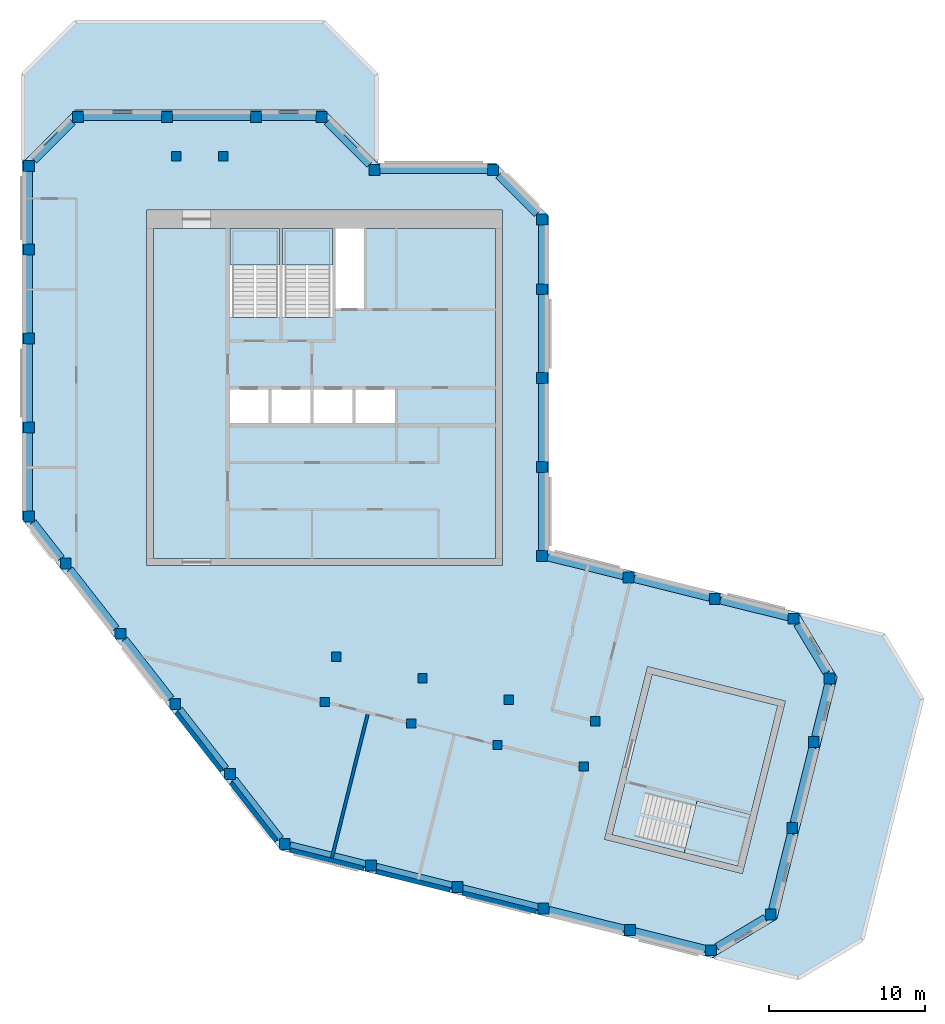
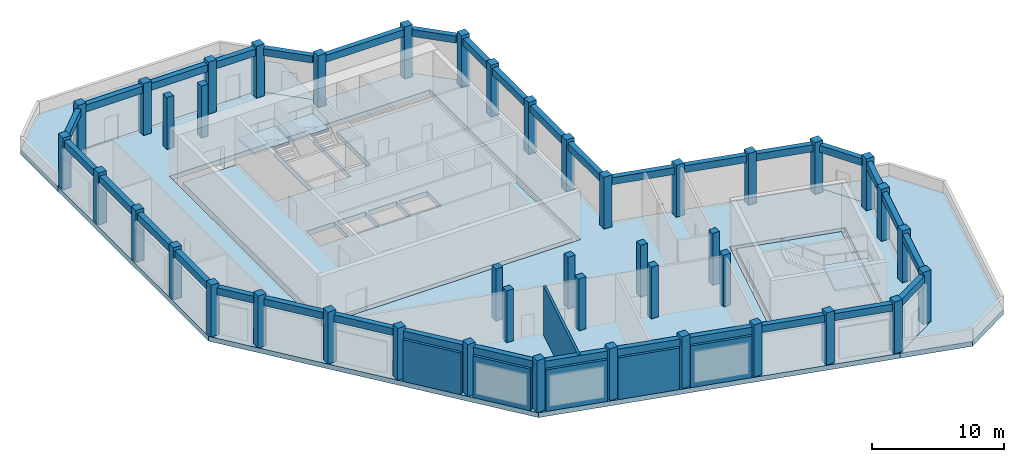
# One storey, part 1 of 5: 43 columns, 33 beams, 8 slabs, 6 walls, 3 elements without a shape of their own.
"""IFC4 building model written with IfcOpenShell, lengths in metres."""

from ifc_helpers import new_model, si_unit, direction, frame, frame_2d, origin, origin_2d, place, context, subcontext, project, spatial, polyline, rectangle, outline, extrude, material, layer, layer_set, material_profile, profile_set, type_object, element, aggregate, save


model = new_model("IFC4")

# Units and contexts
model_context = context("Model", 3, precision=1e-05, world=origin(), true_north=direction((0.0, 1.0)))
body_context = subcontext(model_context, "Body", "Model", "MODEL_VIEW")
ifc_project = project(units=[si_unit("LENGTHUNIT", "METRE"), si_unit("AREAUNIT", "SQUARE_METRE"), si_unit("VOLUMEUNIT", "CUBIC_METRE"), si_unit("PLANEANGLEUNIT", "RADIAN"), si_unit("MASSUNIT", "GRAM", prefix="KILO")], contexts=[model_context])

# Site, building, storey
site_placement = place(None, origin())
site = spatial("IfcSite", under=ifc_project, at=site_placement, CompositionType="ELEMENT")
building_placement = place(site_placement, origin())
building = spatial("IfcBuilding", under=site, at=building_placement, Name="Meshkara Civic Tower", CompositionType="ELEMENT")
storey_placement = place(building_placement, frame((0.0, 0.0, 409.800048828125)))
storey = spatial("IfcBuildingStorey", under=building, at=storey_placement, Name="L94 Crown", CompositionType="ELEMENT", Elevation=409.800048828125)

# Columns
ifc_material_1 = material(Name="Concrete C50", Category="concrete")
ifc_material_profile_1 = material_profile(ifc_material_1, rectangle(XDim=0.60009765625, YDim=0.60009765625, at=origin_2d()))
ifc_profile_set_1 = profile_set([ifc_material_profile_1], Name="Concrete C50")
column_type_1 = type_object("IfcColumnType", Name="Interior column RC 600x600 C50", PredefinedType="COLUMN", material=ifc_profile_set_1)
for number, where, z_axis, x_axis, name in (
    (1, (9.89990234375, 40.35009765625, 0.0), (0.0, 0.0, 1.0), (1.0, 0.0, 0.0), "Column SA1-04 L94 Crown"),
    (2, (12.89990234375, 40.35009765625, 0.0), (0.0, 0.0, 1.0), (1.0, 0.0, 0.0), "Column SA2-04 L94 Crown"),
    (3, (19.424072265625, 5.360107421875, 0.0), (0.0, 0.0, 1.0), (1.0, 0.0, 0.0), "Column SB1-00 L94 Crown"),
    (4, (24.9541015625, 3.98095703125, 0.0), (0.0, 0.0, 1.0), (1.0, 0.0, 0.0), "Column SB1-01 L94 Crown"),
    (5, (30.485107421875, 2.60205078125, 0.0), (0.0, 0.0, 1.0), (1.0, 0.0, 0.0), "Column SB1-02 L94 Crown"),
    (6, (36.01611328125, 1.222900390625, 0.0), (0.0, 0.0, 1.0), (1.0, 0.0, 0.0), "Column SB1-03 L94 Crown"),
    (7, (20.14892578125, 8.27099609375, 0.0), (0.0, 0.0, 1.0), (1.0, 0.0, 0.0), "Column SB2-00 L94 Crown"),
    (8, (25.679931640625, 6.89208984375, 0.0), (0.0, 0.0, 1.0), (1.0, 0.0, 0.0), "Column SB2-01 L94 Crown"),
    (9, (31.2109375, 5.512939453125, 0.0), (0.0, 0.0, 1.0), (1.0, 0.0, 0.0), "Column SB2-02 L94 Crown"),
    (10, (36.741943359375, 4.134033203125, 0.0), (0.0, 0.0, 1.0), (1.0, 0.0, 0.0), "Column SB2-03 L94 Crown"),
):
    element("IfcColumn", number, at=place(storey_placement, frame(where, z_axis=z_axis, x_axis=x_axis)), inside=storey, type_object=column_type_1, Name=name, PredefinedType="COLUMN", context=body_context, shape_type="SweptSolid", body=[
        extrude(rectangle(XDim=0.60009765625, YDim=0.60009765625, at=origin_2d()), origin(), (0.0, 0.0, 1.0), 4.800048828125),
    ])
ifc_material_2 = material(Name="Concrete C50", Category="concrete")
ifc_material_profile_2 = material_profile(ifc_material_2, rectangle(XDim=0.699951171875, YDim=0.699951171875, at=origin_2d()))
ifc_profile_set_2 = profile_set([ifc_material_profile_2], Name="Concrete C50")
column_type_2 = type_object("IfcColumnType", Name="Perimeter column RC 700x700 C50", PredefinedType="COLUMN", material=ifc_profile_set_2)
for number, where, z_axis, x_axis, name in (
    (11, (33.35009765625, 14.718994140625, 0.0), (0.0, 0.0, 1.0), (1.0, 0.0, 0.0), "Column HE00 L94 Crown"),
    (12, (33.35009765625, 20.4189453125, 0.0), (0.0, 0.0, 1.0), (1.0, 0.0, 0.0), "Column HE01 L94 Crown"),
    (13, (33.35009765625, 26.118896484375, 0.0), (0.0, 0.0, 1.0), (1.0, 0.0, 0.0), "Column HE02 L94 Crown"),
    (14, (33.35009765625, 31.819091796875, 0.0), (0.0, 0.0, 1.0), (1.0, 0.0, 0.0), "Column HE03 L94 Crown"),
    (15, (33.35009765625, 36.2939453125, 0.0), (0.0, 0.0, 1.0), (1.0, 0.0, 0.0), "Column HEE L94 Crown"),
    (16, (30.194091796875, 39.449951171875, 0.0), (0.0, 0.0, 1.0), (1.0, 0.0, 0.0), "Column HCeE L94 Crown"),
    (17, (22.614013671875, 39.449951171875, 0.0), (0.0, 0.0, 1.0), (1.0, 0.0, 0.0), "Column HN00-P7 L94 Crown"),
    (18, (19.194091796875, 42.8701171875, 0.0), (0.0, 0.0, 1.0), (1.0, 0.0, 0.0), "Column ATiEP7 L94 Crown"),
    (19, (3.60595703125, 42.8701171875, 0.0), (0.0, 0.0, 1.0), (1.0, 0.0, 0.0), "Column AT00-P7 L94 Crown"),
    (20, (9.305908203125, 42.8701171875, 0.0), (0.0, 0.0, 1.0), (1.0, 0.0, 0.0), "Column AT01-P7 L94 Crown"),
    (21, (15.006103515625, 42.8701171875, 0.0), (0.0, 0.0, 1.0), (1.0, 0.0, 0.0), "Column AT02-P7 L94 Crown"),
    (22, (0.449951171875, 39.714111328125, 0.0), (0.0, 0.0, 1.0), (1.0, 0.0, 0.0), "Column ATo00-P7 L94 Crown"),
    (23, (0.449951171875, 17.2548828125, 0.0), (0.0, 0.0, 1.0), (1.0, 0.0, 0.0), "Column AW00 L94 Crown"),
    (24, (0.449951171875, 22.955078125, 0.0), (0.0, 0.0, 1.0), (1.0, 0.0, 0.0), "Column AW01 L94 Crown"),
    (25, (0.449951171875, 28.655029296875, 0.0), (0.0, 0.0, 1.0), (1.0, 0.0, 0.0), "Column AW02 L94 Crown"),
    (26, (0.449951171875, 34.35498046875, 0.0), (0.0, 0.0, 1.0), (1.0, 0.0, 0.0), "Column AW03 L94 Crown"),
    (27, (16.85107421875, -3.738037109375, 0.0), (0.0, 0.0, 1.0), (1.0, 0.0, 0.0), "Column BOW00 L94 Crown"),
    (28, (13.342041015625, 0.75390625, 0.0), (0.0, 0.0, 1.0), (1.0, 0.0, 0.0), "Column BOW01 L94 Crown"),
    (29, (9.8330078125, 5.2451171875, 0.0), (0.0, 0.0, 1.0), (1.0, 0.0, 0.0), "Column BOW02 L94 Crown"),
    (30, (6.322998046875, 9.737060546875, 0.0), (0.0, 0.0, 1.0), (1.0, 0.0, 0.0), "Column BOW03 L94 Crown"),
    (31, (2.81396484375, 14.22900390625, 0.0), (0.0, 0.0, 1.0), (1.0, 0.0, 0.0), "Column BOW04 L94 Crown"),
    (32, (22.382080078125, -5.116943359375, 0.0), (0.0, 0.0, 1.0), (1.0, 0.0, 0.0), "Column BS01 L94 Crown"),
    (33, (27.912109375, -6.49609375, 0.0), (0.0, 0.0, 1.0), (1.0, 0.0, 0.0), "Column BS02 L94 Crown"),
    (34, (33.443115234375, -7.875, 0.0), (0.0, 0.0, 1.0), (1.0, 0.0, 0.0), "Column BS03 L94 Crown"),
    (35, (38.97412109375, -9.25390625, 0.0), (0.0, 0.0, 1.0), (1.0, 0.0, 0.0), "Column BS04 L94 Crown"),
    (36, (44.173095703125, -10.550048828125, 0.0), (0.0, 0.0, 1.0), (1.0, 0.0, 0.0), "Column BSEP7 L94 Crown"),
    (37, (47.9990234375, -8.2509765625, 0.0), (0.0, 0.0, 1.0), (1.0, 0.0, 0.0), "Column BToEP7 L94 Crown"),
    (38, (49.3779296875, -2.719970703125, 0.0), (0.0, 0.0, 1.0), (1.0, 0.0, 0.0), "Column BT01-P7 L94 Crown"),
    (39, (50.757080078125, 2.81005859375, 0.0), (0.0, 0.0, 1.0), (1.0, 0.0, 0.0), "Column BT02-P7 L94 Crown"),
    (40, (51.77001953125, 6.873046875, 0.0), (0.0, 0.0, 1.0), (1.0, 0.0, 0.0), "Column BTEP7 L94 Crown"),
    (41, (49.470947265625, 10.698974609375, 0.0), (0.0, 0.0, 1.0), (1.0, 0.0, 0.0), "Column BTi00-P7 L94 Crown"),
    (42, (38.881103515625, 13.340087890625, 0.0), (0.0, 0.0, 1.0), (1.0, 0.0, 0.0), "Column BN01 L94 Crown"),
    (43, (44.410888671875, 11.9609375, 0.0), (0.0, 0.0, 1.0), (1.0, 0.0, 0.0), "Column BN02 L94 Crown"),
):
    element("IfcColumn", number, at=place(storey_placement, frame(where, z_axis=z_axis, x_axis=x_axis)), inside=storey, type_object=column_type_2, Name=name, PredefinedType="COLUMN", context=body_context, shape_type="SweptSolid", body=[
        extrude(rectangle(XDim=0.699951171875, YDim=0.699951171875, at=origin_2d()), origin(), (0.0, 0.0, 1.0), 4.800048828125),
    ])

# Beams
ifc_material_3 = material(Name="Concrete C50", Category="concrete")
ifc_material_profile_3 = material_profile(ifc_material_3, rectangle(XDim=0.449951171875, YDim=0.64990234375, at=origin_2d()))
ifc_profile_set_3 = profile_set([ifc_material_profile_3], Name="Concrete C50")
beam_type = type_object("IfcBeamType", Name="Spandrel beam RC 450x650 C50", PredefinedType="BEAM", material=ifc_profile_set_3)
beam_1_placement = place(storey_placement, frame((44.06591796875, 12.047119140625, 4.175048828125), z_axis=(-0.970292030407, 0.241936718437, 0.0), x_axis=(-0.241936718437, -0.970292030407, 0.0)))
element("IfcBeam", 44, at=beam_1_placement, inside=storey, type_object=beam_type, Name="Spandrel beam BN01-BN02", PredefinedType="BEAM", context=body_context, shape_type="SweptSolid", body=[
    extrude(rectangle(XDim=0.449951171875, YDim=0.64990234375, at=origin_2d()), origin(), (0.0, 0.0, 1.0), 4.988037109375),
])
beam_2_placement = place(storey_placement, frame((38.535888671875, 13.426025390625, 4.175048828125), z_axis=(-0.970303486882, 0.241890767382, 0.0), x_axis=(-0.241890767382, -0.970303486882, 0.0)))
element("IfcBeam", 45, at=beam_2_placement, inside=storey, type_object=beam_type, Name="Spandrel beam BN01-HE00", PredefinedType="BEAM", context=body_context, shape_type="SweptSolid", body=[
    extrude(rectangle(XDim=0.449951171875, YDim=0.64990234375, at=origin_2d()), origin(), (0.0, 0.0, 1.0), 4.989013671875),
])
for number, where, z_axis, x_axis, name in (
    (46, (33.35009765625, 15.06396484375, 4.175048828125), (0.0, 1.0, 0.0), (-1.0, 0.0, 0.0), "Spandrel beam HE00-HE01"),
    (47, (33.35009765625, 20.763916015625, 4.175048828125), (0.0, 1.0, 0.0), (-1.0, 0.0, 0.0), "Spandrel beam HE01-HE02"),
    (48, (33.35009765625, 26.464111328125, 4.175048828125), (0.0, 1.0, 0.0), (-1.0, 0.0, 0.0), "Spandrel beam HE02-HE03"),
):
    element("IfcBeam", number, at=place(storey_placement, frame(where, z_axis=z_axis, x_axis=x_axis)), inside=storey, type_object=beam_type, Name=name, PredefinedType="BEAM", context=body_context, shape_type="SweptSolid", body=[
        extrude(rectangle(XDim=0.449951171875, YDim=0.64990234375, at=origin_2d()), origin(), (0.0, 0.0, 1.0), 5.010009765625),
    ])
beam_3_placement = place(storey_placement, frame((33.35009765625, 32.1640625, 4.175048828125), z_axis=(0.0, 1.0, 0.0), x_axis=(-1.0, 0.0, 0.0)))
element("IfcBeam", 49, at=beam_3_placement, inside=storey, type_object=beam_type, Name="Spandrel beam HE03-HEE", PredefinedType="BEAM", context=body_context, shape_type="SweptSolid", body=[
    extrude(rectangle(XDim=0.449951171875, YDim=0.64990234375, at=origin_2d()), origin(), (0.0, 0.0, 1.0), 3.784912109375),
])
beam_4_placement = place(storey_placement, frame((33.00341796875, 36.640380859375, 4.175048828125), z_axis=(-0.707071735129, 0.707141825507, 0.0), x_axis=(-0.707141825507, -0.707071735129, 0.0)))
element("IfcBeam", 50, at=beam_4_placement, inside=storey, type_object=beam_type, Name="Spandrel beam HCeE-HEE", PredefinedType="BEAM", context=body_context, shape_type="SweptSolid", body=[
    extrude(rectangle(XDim=0.449951171875, YDim=0.64990234375, at=origin_2d()), origin(), (0.0, 0.0, 1.0), 3.483154296875),
])
beam_5_placement = place(storey_placement, frame((29.84912109375, 39.449951171875, 4.175048828125), z_axis=(-1.0, 0.0, 0.0), x_axis=(0.0, -1.0, 0.0)))
element("IfcBeam", 51, at=beam_5_placement, inside=storey, type_object=beam_type, Name="Spandrel beam HCeE-HN00-P7", PredefinedType="BEAM", context=body_context, shape_type="SweptSolid", body=[
    extrude(rectangle(XDim=0.449951171875, YDim=0.64990234375, at=origin_2d()), origin(), (0.0, 0.0, 1.0), 6.89013671875),
])
beam_6_placement = place(storey_placement, frame((22.267578125, 39.79638671875, 4.175048828125), z_axis=(-0.707106781187, 0.707106781187, 0.0), x_axis=(-0.707106781187, -0.707106781187, 0.0)))
element("IfcBeam", 52, at=beam_6_placement, inside=storey, type_object=beam_type, Name="Spandrel beam ATiEP7-HN00-P7", PredefinedType="BEAM", context=body_context, shape_type="SweptSolid", body=[
    extrude(rectangle(XDim=0.449951171875, YDim=0.64990234375, at=origin_2d()), origin(), (0.0, 0.0, 1.0), 3.856689453125),
])
beam_7_placement = place(storey_placement, frame((18.84912109375, 42.8701171875, 4.175048828125), z_axis=(-1.0, 0.0, 0.0), x_axis=(0.0, -1.0, 0.0)))
element("IfcBeam", 53, at=beam_7_placement, inside=storey, type_object=beam_type, Name="Spandrel beam AT02-P7-ATiEP7", PredefinedType="BEAM", context=body_context, shape_type="SweptSolid", body=[
    extrude(rectangle(XDim=0.449951171875, YDim=0.64990234375, at=origin_2d()), origin(), (0.0, 0.0, 1.0), 3.498046875),
])
for number, where, z_axis, x_axis, name in (
    (54, (14.660888671875, 42.8701171875, 4.175048828125), (-1.0, 0.0, 0.0), (0.0, -1.0, 0.0), "Spandrel beam AT01-P7-AT02-P7"),
    (55, (8.9609375, 42.8701171875, 4.175048828125), (-1.0, 0.0, 0.0), (0.0, -1.0, 0.0), "Spandrel beam AT00-P7-AT01-P7"),
):
    element("IfcBeam", number, at=place(storey_placement, frame(where, z_axis=z_axis, x_axis=x_axis)), inside=storey, type_object=beam_type, Name=name, PredefinedType="BEAM", context=body_context, shape_type="SweptSolid", body=[
        extrude(rectangle(XDim=0.449951171875, YDim=0.64990234375, at=origin_2d()), origin(), (0.0, 0.0, 1.0), 5.010009765625),
    ])
beam_8_placement = place(storey_placement, frame((3.259521484375, 42.5234375, 4.175048828125), z_axis=(-0.707141825507, -0.707071735129, 0.0), x_axis=(0.707071735129, -0.707141825507, 0.0)))
element("IfcBeam", 56, at=beam_8_placement, inside=storey, type_object=beam_type, Name="Spandrel beam AT00-P7-ATo00-P7", PredefinedType="BEAM", context=body_context, shape_type="SweptSolid", body=[
    extrude(rectangle(XDim=0.449951171875, YDim=0.64990234375, at=origin_2d()), origin(), (0.0, 0.0, 1.0), 3.483154296875),
])
beam_9_placement = place(storey_placement, frame((0.449951171875, 39.368896484375, 4.175048828125), z_axis=(0.0, -1.0, 0.0), x_axis=(1.0, 0.0, 0.0)))
element("IfcBeam", 57, at=beam_9_placement, inside=storey, type_object=beam_type, Name="Spandrel beam ATo00-P7-AW03", PredefinedType="BEAM", context=body_context, shape_type="SweptSolid", body=[
    extrude(rectangle(XDim=0.449951171875, YDim=0.64990234375, at=origin_2d()), origin(), (0.0, 0.0, 1.0), 4.6689453125),
])
for number, where, z_axis, x_axis, name in (
    (58, (0.449951171875, 34.010009765625, 4.175048828125), (0.0, -1.0, 0.0), (1.0, 0.0, 0.0), "Spandrel beam AW02-AW03"),
    (59, (0.449951171875, 28.31005859375, 4.175048828125), (0.0, -1.0, 0.0), (1.0, 0.0, 0.0), "Spandrel beam AW01-AW02"),
    (60, (0.449951171875, 22.610107421875, 4.175048828125), (0.0, -1.0, 0.0), (1.0, 0.0, 0.0), "Spandrel beam AW00-AW01"),
):
    element("IfcBeam", number, at=place(storey_placement, frame(where, z_axis=z_axis, x_axis=x_axis)), inside=storey, type_object=beam_type, Name=name, PredefinedType="BEAM", context=body_context, shape_type="SweptSolid", body=[
        extrude(rectangle(XDim=0.449951171875, YDim=0.64990234375, at=origin_2d()), origin(), (0.0, 0.0, 1.0), 5.010009765625),
    ])
beam_10_placement = place(storey_placement, frame((0.720458984375, 16.908935546875, 4.175048828125), z_axis=(0.615645641735, -0.788023123908, 0.0), x_axis=(0.788023123908, 0.615645641735, 0.0)))
element("IfcBeam", 61, at=beam_10_placement, inside=storey, type_object=beam_type, Name="Spandrel beam AW00-BOW04", PredefinedType="BEAM", context=body_context, shape_type="SweptSolid", body=[
    extrude(rectangle(XDim=0.449951171875, YDim=0.64990234375, at=origin_2d()), origin(), (0.0, 0.0, 1.0), 2.96142578125),
])
beam_11_placement = place(storey_placement, frame((3.084228515625, 13.8828125, 4.175048828125), z_axis=(0.615632251353, -0.788033585004, 0.0), x_axis=(0.788033585004, 0.615632251353, 0.0)))
element("IfcBeam", 62, at=beam_11_placement, inside=storey, type_object=beam_type, Name="Spandrel beam BOW03-BOW04", PredefinedType="BEAM", context=body_context, shape_type="SweptSolid", body=[
    extrude(rectangle(XDim=0.449951171875, YDim=0.64990234375, at=origin_2d()), origin(), (0.0, 0.0, 1.0), 4.82177734375),
])
beam_12_placement = place(storey_placement, frame((6.593505859375, 9.390869140625, 4.175048828125), z_axis=(0.615695129878, -0.787984458632, 0.0), x_axis=(0.787984458632, 0.615695129878, 0.0)))
element("IfcBeam", 63, at=beam_12_placement, inside=storey, type_object=beam_type, Name="Spandrel beam BOW02-BOW03", PredefinedType="BEAM", context=body_context, shape_type="SweptSolid", body=[
    extrude(rectangle(XDim=0.449951171875, YDim=0.64990234375, at=origin_2d()), origin(), (0.0, 0.0, 1.0), 4.822265625),
])
beam_13_placement = place(storey_placement, frame((10.103515625, 4.89892578125, 4.175048828125), z_axis=(0.615667628032, -0.788005946547, 0.0), x_axis=(0.788005946547, 0.615667628032, 0.0)))
element("IfcBeam", 64, at=beam_13_placement, inside=storey, type_object=beam_type, Name="Spandrel beam BOW01-BOW02", PredefinedType="BEAM", context=body_context, shape_type="SweptSolid", body=[
    extrude(rectangle(XDim=0.449951171875, YDim=0.64990234375, at=origin_2d()), origin(), (0.0, 0.0, 1.0), 4.82080078125),
])
beam_14_placement = place(storey_placement, frame((13.6123046875, 0.407958984375, 4.175048828125), z_axis=(0.615632251353, -0.788033585004, 0.0), x_axis=(0.788033585004, 0.615632251353, 0.0)))
element("IfcBeam", 65, at=beam_14_placement, inside=storey, type_object=beam_type, Name="Spandrel beam BOW00-BOW01", PredefinedType="BEAM", context=body_context, shape_type="SweptSolid", body=[
    extrude(rectangle(XDim=0.449951171875, YDim=0.64990234375, at=origin_2d()), origin(), (0.0, 0.0, 1.0), 4.82177734375),
])
beam_15_placement = place(storey_placement, frame((17.196044921875, -3.82421875, 4.175048828125), z_axis=(0.970303486882, -0.241890767382, 0.0), x_axis=(0.241890767382, 0.970303486882, 0.0)))
element("IfcBeam", 66, at=beam_15_placement, inside=storey, type_object=beam_type, Name="Spandrel beam BOW00-BS01", PredefinedType="BEAM", context=body_context, shape_type="SweptSolid", body=[
    extrude(rectangle(XDim=0.449951171875, YDim=0.64990234375, at=origin_2d()), origin(), (0.0, 0.0, 1.0), 4.989013671875),
])
beam_16_placement = place(storey_placement, frame((22.72705078125, -5.203125, 4.175048828125), z_axis=(0.970292030407, -0.241936718437, 0.0), x_axis=(0.241936718437, 0.970292030407, 0.0)))
element("IfcBeam", 67, at=beam_16_placement, inside=storey, type_object=beam_type, Name="Spandrel beam BS01-BS02", PredefinedType="BEAM", context=body_context, shape_type="SweptSolid", body=[
    extrude(rectangle(XDim=0.449951171875, YDim=0.64990234375, at=origin_2d()), origin(), (0.0, 0.0, 1.0), 4.988037109375),
])
for number, where, z_axis, x_axis, name in (
    (68, (28.257080078125, -6.58203125, 4.175048828125), (0.970303486882, -0.241890767382, 0.0), (0.241890767382, 0.970303486882, 0.0), "Spandrel beam BS02-BS03"),
    (69, (33.7880859375, -7.961181640625, 4.175048828125), (0.970303486882, -0.241890767382, 0.0), (0.241890767382, 0.970303486882, 0.0), "Spandrel beam BS03-BS04"),
):
    element("IfcBeam", number, at=place(storey_placement, frame(where, z_axis=z_axis, x_axis=x_axis)), inside=storey, type_object=beam_type, Name=name, PredefinedType="BEAM", context=body_context, shape_type="SweptSolid", body=[
        extrude(rectangle(XDim=0.449951171875, YDim=0.64990234375, at=origin_2d()), origin(), (0.0, 0.0, 1.0), 4.989013671875),
    ])
beam_17_placement = place(storey_placement, frame((39.319091796875, -9.340087890625, 4.175048828125), z_axis=(0.970302996806, -0.24189273323, 0.0), x_axis=(0.24189273323, 0.970302996806, 0.0)))
element("IfcBeam", 70, at=beam_17_placement, inside=storey, type_object=beam_type, Name="Spandrel beam BS04-BSEP7", PredefinedType="BEAM", context=body_context, shape_type="SweptSolid", body=[
    extrude(rectangle(XDim=0.449951171875, YDim=0.64990234375, at=origin_2d()), origin(), (0.0, 0.0, 1.0), 4.646728515625),
])
beam_18_placement = place(storey_placement, frame((44.518798828125, -10.34228515625, 4.175048828125), z_axis=(0.857151074775, 0.515065078424, 0.0), x_axis=(-0.515065078424, 0.857151074775, 0.0)))
element("IfcBeam", 71, at=beam_18_placement, inside=storey, type_object=beam_type, Name="Spandrel beam BSEP7-BToEP7", PredefinedType="BEAM", context=body_context, shape_type="SweptSolid", body=[
    extrude(rectangle(XDim=0.449951171875, YDim=0.64990234375, at=origin_2d()), origin(), (0.0, 0.0, 1.0), 3.656982421875),
])
beam_19_placement = place(storey_placement, frame((48.085205078125, -7.906005859375, 4.175048828125), z_axis=(0.241890767382, 0.970303486882, 0.0), x_axis=(-0.970303486882, 0.241890767382, 0.0)))
element("IfcBeam", 72, at=beam_19_placement, inside=storey, type_object=beam_type, Name="Spandrel beam BT01-P7-BToEP7", PredefinedType="BEAM", context=body_context, shape_type="SweptSolid", body=[
    extrude(rectangle(XDim=0.449951171875, YDim=0.64990234375, at=origin_2d()), origin(), (0.0, 0.0, 1.0), 4.989013671875),
])
beam_20_placement = place(storey_placement, frame((49.464111328125, -2.375, 4.175048828125), z_axis=(0.241936718437, 0.970292030407, 0.0), x_axis=(-0.970292030407, 0.241936718437, 0.0)))
element("IfcBeam", 73, at=beam_20_placement, inside=storey, type_object=beam_type, Name="Spandrel beam BT01-P7-BT02-P7", PredefinedType="BEAM", context=body_context, shape_type="SweptSolid", body=[
    extrude(rectangle(XDim=0.449951171875, YDim=0.64990234375, at=origin_2d()), origin(), (0.0, 0.0, 1.0), 4.988037109375),
])
beam_21_placement = place(storey_placement, frame((50.843017578125, 3.155029296875, 4.175048828125), z_axis=(0.241891057525, 0.970303414551, 0.0), x_axis=(-0.970303414551, 0.241891057525, 0.0)))
element("IfcBeam", 74, at=beam_21_placement, inside=storey, type_object=beam_type, Name="Spandrel beam BT02-P7-BTEP7", PredefinedType="BEAM", context=body_context, shape_type="SweptSolid", body=[
    extrude(rectangle(XDim=0.449951171875, YDim=0.64990234375, at=origin_2d()), origin(), (0.0, 0.0, 1.0), 3.47607421875),
])
beam_22_placement = place(storey_placement, frame((51.562255859375, 7.21875, 4.175048828125), z_axis=(-0.515065078424, 0.857151074775, 0.0), x_axis=(-0.857151074775, -0.515065078424, 0.0)))
element("IfcBeam", 75, at=beam_22_placement, inside=storey, type_object=beam_type, Name="Spandrel beam BTEP7-BTi00-P7", PredefinedType="BEAM", context=body_context, shape_type="SweptSolid", body=[
    extrude(rectangle(XDim=0.449951171875, YDim=0.64990234375, at=origin_2d()), origin(), (0.0, 0.0, 1.0), 3.656982421875),
])
beam_23_placement = place(storey_placement, frame((49.1259765625, 10.78515625, 4.175048828125), z_axis=(-0.970279460943, 0.241987122948, 0.0), x_axis=(-0.241987122948, -0.970279460943, 0.0)))
element("IfcBeam", 76, at=beam_23_placement, inside=storey, type_object=beam_type, Name="Spandrel beam BN02-BTi00-P7", PredefinedType="BEAM", context=body_context, shape_type="SweptSolid", body=[
    extrude(rectangle(XDim=0.449951171875, YDim=0.64990234375, at=origin_2d()), origin(), (0.0, 0.0, 1.0), 4.503662109375),
])

# Slabs
ifc_material_4 = material(Name="Concrete C40/50", Category="concrete")
ifc_layer_1 = layer(ifc_material_4, 0.449951171875)
ifc_layer_set_1 = layer_set([ifc_layer_1], Name="Core floor slab 450 C40/50")
slab_type_1 = type_object("IfcSlabType", Name="Core floor slab 450 C40/50", PredefinedType="FLOOR", material=ifc_layer_set_1)
slab_1_placement = place(storey_placement, frame((0.0, 0.0, -0.449951171875)))
element("IfcSlab", 77, at=slab_1_placement, inside=storey, type_object=slab_type_1, Name="Core floor K", PredefinedType="FLOOR", context=body_context, shape_type="SweptSolid", body=[
    extrude(outline(polyline([(8.449951171875, 35.699951171875), (13.35009765625, 35.699951171875), (13.35009765625, 30.00146484375), (16.5, 30.00146484375), (16.5, 35.699951171875), (16.699951171875, 35.699951171875), (16.699951171875, 30.00146484375), (19.89990234375, 30.00146484375), (19.89990234375, 35.699951171875), (20.10009765625, 35.699951171875), (20.10009765625, 30.574951171875), (21.925048828125, 30.574951171875), (21.925048828125, 35.699951171875), (30.35009765625, 35.699951171875), (30.35009765625, 14.550048828125), (8.449951171875, 14.550048828125), (8.449951171875, 35.699951171875)]), holes=[polyline([(15.800048828125, 23.25), (15.800048828125, 25.39990234375), (13.35009765625, 25.39990234375), (13.35009765625, 23.25), (15.800048828125, 23.25)]), polyline([(18.5, 25.39990234375), (16.0, 25.39990234375), (16.0, 23.25), (18.5, 23.25), (18.5, 25.39990234375)]), polyline([(18.699951171875, 23.25), (21.199951171875, 23.25), (21.199951171875, 25.39990234375), (18.699951171875, 25.39990234375), (18.699951171875, 23.25)]), polyline([(23.89990234375, 25.39990234375), (21.39990234375, 25.39990234375), (21.39990234375, 23.25), (23.89990234375, 23.25), (23.89990234375, 25.39990234375)])]), origin(), (0.0, 0.0, 1.0), 0.449951171875),
])
slab_2_placement = place(storey_placement, frame((0.0, 0.0, -0.449951171875)))
element("IfcSlab", 78, at=slab_2_placement, inside=storey, type_object=slab_type_1, Name="Core floor EB", PredefinedType="FLOOR", context=body_context, shape_type="SweptSolid", body=[
    extrude(outline(polyline([(37.832763671875, -3.14599609375), (40.39697265625, 7.13916015625), (48.450439453125, 5.131103515625), (45.88623046875, -5.154052734375), (37.832763671875, -3.14599609375)])), origin(), (0.0, 0.0, 1.0), 0.449951171875),
])

# Stair, slab
ifc_material_5 = material(Name="Precast concrete C40/50", Category="concrete")
stair_type = type_object("IfcStairType", Name="Exit stair half-turn 26 risers precast", PredefinedType="HALF_TURN_STAIR", material=ifc_material_5)
stair_1_placement = place(storey_placement, origin())
stair_1 = element("IfcStair", 79, at=stair_1_placement, inside=storey, type_object=stair_type, Name="L94 Crown exit stair 1", PredefinedType="HALF_TURN_STAIR")
ifc_material_6 = material(Name="Precast concrete C40/50", Category="concrete")
ifc_layer_2 = layer(ifc_material_6, 0.199951171875)
ifc_layer_set_2 = layer_set([ifc_layer_2], Name="Exit stair landing 200")
slab_type_2 = type_object("IfcSlabType", Name="Exit stair landing 200", PredefinedType="LANDING", material=ifc_layer_set_2)
slab_3_placement = place(storey_placement, frame((0.0, 0.0, 2.199951171875)))
slab_3 = element("IfcSlab", 80, at=slab_3_placement, type_object=slab_type_2, Name="ST1 landing 1", PredefinedType="LANDING", context=body_context, shape_type="SweptSolid", body=[
    extrude(outline(polyline([(16.5, 33.3583984375), (16.5, 35.699951171875), (13.35009765625, 35.699951171875), (13.35009765625, 33.3583984375), (16.5, 33.3583984375)])), origin(), (0.0, 0.0, 1.0), 0.199951171875),
])
aggregate(stair_1, [slab_3])

stair_2_placement = place(storey_placement, origin())
stair_2 = element("IfcStair", 81, at=stair_2_placement, inside=storey, type_object=stair_type, Name="L94 Crown exit stair 2", PredefinedType="HALF_TURN_STAIR")
slab_4_placement = place(storey_placement, frame((0.0, 0.0, 2.199951171875)))
slab_4 = element("IfcSlab", 82, at=slab_4_placement, type_object=slab_type_2, Name="ST2 landing 1", PredefinedType="LANDING", context=body_context, shape_type="SweptSolid", body=[
    extrude(outline(polyline([(19.89990234375, 33.3583984375), (19.89990234375, 35.699951171875), (16.699951171875, 35.699951171875), (16.699951171875, 33.3583984375), (19.89990234375, 33.3583984375)])), origin(), (0.0, 0.0, 1.0), 0.199951171875),
])
aggregate(stair_2, [slab_4])

stair_3_placement = place(storey_placement, origin())
stair_3 = element("IfcStair", 83, at=stair_3_placement, inside=storey, type_object=stair_type, Name="L94 Crown exit stair B from L94 Crown", PredefinedType="HALF_TURN_STAIR")
slab_5_placement = place(storey_placement, frame((0.0, 0.0, 2.199951171875)))
slab_5 = element("IfcSlab", 84, at=slab_5_placement, type_object=slab_type_2, Name="ESB8 landing 1", PredefinedType="LANDING", context=body_context, shape_type="SweptSolid", body=[
    extrude(outline(polyline([(42.45068359375, -4.300537109375), (45.88916015625, -5.15478515625), (46.710693359375, -1.848388671875), (43.272216796875, -0.994140625), (42.45068359375, -4.300537109375)])), origin(), (0.0, 0.0, 1.0), 0.199951171875),
])
aggregate(stair_3, [slab_5])

# Slabs
ifc_material_7 = material(Name="Concrete C50", Category="concrete")
ifc_layer_3 = layer(ifc_material_7, 0.449951171875)
ifc_layer_set_3 = layer_set([ifc_layer_3], Name="Terrace slab 450 C50")
slab_type_3 = type_object("IfcSlabType", Name="Terrace slab 450 C50", PredefinedType="ROOF", material=ifc_layer_set_3)
slab_6_placement = place(storey_placement, frame((0.0, 0.0, -0.449951171875)))
element("IfcSlab", 85, at=slab_6_placement, inside=storey, type_object=slab_type_3, Name="Terrace slab L94 Crown", PredefinedType="ROOF", context=body_context, shape_type="SweptSolid", body=[
    extrude(outline(polyline([(57.782958984375, 5.56591796875), (53.922119140625, -9.919921875), (49.77587890625, -12.410888671875), (44.2451171875, -11.031982421875), (48.39111328125, -8.541015625), (52.251953125, 6.945068359375), (49.760986328125, 11.091064453125), (55.2919921875, 9.7119140625), (57.782958984375, 5.56591796875)])), origin(), (0.0, 0.0, 1.0), 0.449951171875),
])
slab_7_placement = place(storey_placement, frame((0.0, 0.0, -0.449951171875)))
element("IfcSlab", 86, at=slab_7_placement, inside=storey, type_object=slab_type_3, Name="Terrace slab L94 Crown", PredefinedType="ROOF", context=body_context, shape_type="SweptSolid", body=[
    extrude(outline(polyline([(3.419921875, 49.02001953125), (19.3798828125, 49.02001953125), (22.800048828125, 45.60009765625), (22.800048828125, 39.89990234375), (19.3798828125, 43.320068359375), (3.419921875, 43.320068359375), (0.0, 39.89990234375), (0.0, 45.60009765625), (3.419921875, 49.02001953125)])), origin(), (0.0, 0.0, 1.0), 0.449951171875),
])
ifc_material_8 = material(Name="Concrete C60", Category="concrete")
ifc_layer_4 = layer(ifc_material_8, 0.449951171875)
ifc_layer_set_4 = layer_set([ifc_layer_4], Name="Transfer plate 450 C60")
slab_type_4 = type_object("IfcSlabType", Name="Transfer plate 450 C60", PredefinedType="FLOOR", material=ifc_layer_set_4)
slab_8_placement = place(storey_placement, frame((0.0, 0.0, -0.449951171875)))
element("IfcSlab", 87, at=slab_8_placement, inside=storey, type_object=slab_type_4, Name="Transfer plate L94 Crown", PredefinedType="FLOOR", context=body_context, shape_type="SweptSolid", body=[
    extrude(outline(polyline([(48.39111328125, -8.541015625), (44.2451171875, -11.031982421875), (16.592041015625, -4.136962890625), (0.0, 17.10009765625), (0.0, 39.89990234375), (3.419921875, 43.320068359375), (19.3798828125, 43.320068359375), (22.800048828125, 39.89990234375), (30.3798828125, 39.89990234375), (33.800048828125, 36.47998046875), (33.800048828125, 15.071044921875), (49.760986328125, 11.091064453125), (52.251953125, 6.945068359375), (48.39111328125, -8.541015625)]), holes=[polyline([(46.177978515625, -5.638916015625), (48.93505859375, 5.423095703125), (40.10595703125, 7.6240234375), (37.347900390625, -3.43701171875), (46.177978515625, -5.638916015625)]), polyline([(30.800048828125, 36.89990234375), (8.0, 36.89990234375), (8.0, 14.10009765625), (30.800048828125, 14.10009765625), (30.800048828125, 36.89990234375)])]), origin(), (0.0, 0.0, 1.0), 0.449951171875),
])

# Walls
ifc_material_9 = material(Name="Insulated infill panel with bronze anodised aluminium cladding", Category="aluminium")
ifc_layer_5 = layer(ifc_material_9, 0.300048828125)
ifc_layer_set_5 = layer_set([ifc_layer_5], Name="CROWN WALL 300")
wall_type_1 = type_object("IfcWallType", Name="CROWN WALL 300", PredefinedType="SOLIDWALL", material=ifc_layer_set_5)
wall_1_placement = place(storey_placement, frame((9.89892578125, 4.673095703125, 0.0), z_axis=(0.0, 0.0, 1.0), x_axis=(0.615659107807, -0.788012603309, 0.0)))
element("IfcWall", 88, at=wall_1_placement, inside=storey, type_object=wall_type_1, Name="Crown external wall", PredefinedType="SOLIDWALL", context=body_context, shape_type="SweptSolid", body=[
    extrude(rectangle(XDim=4.717041015625, YDim=0.300048828125, at=frame_2d((2.3583984375, 0.0))), origin(), (0.0, 0.0, 1.0), 3.849853515625),
])
wall_2_placement = place(storey_placement, frame((13.407958984375, 0.181884765625, 0.0), z_axis=(0.0, 0.0, 1.0), x_axis=(0.61568421867, -0.78799298403, 0.0)))
element("IfcWall", 89, at=wall_2_placement, inside=storey, type_object=wall_type_1, Name="Crown external wall", PredefinedType="SOLIDWALL", context=body_context, shape_type="SweptSolid", body=[
    extrude(rectangle(XDim=4.716796875, YDim=0.300048828125, at=frame_2d((2.3583984375, 0.0))), origin(), (0.0, 0.0, 1.0), 3.849853515625),
])
wall_3_placement = place(storey_placement, frame((17.18994140625, -4.132080078125, 0.0), z_axis=(0.0, 0.0, 1.0), x_axis=(0.970343440388, -0.241730444287, 0.0)))
element("IfcWall", 90, at=wall_3_placement, inside=storey, type_object=wall_type_1, Name="Crown external wall", PredefinedType="SOLIDWALL", context=body_context, shape_type="SweptSolid", body=[
    extrude(rectangle(XDim=4.851806640625, YDim=0.300048828125, at=frame_2d((2.42578125, 0.0))), origin(), (0.0, 0.0, 1.0), 3.849853515625),
])
wall_4_placement = place(storey_placement, frame((22.720947265625, -5.510986328125, 0.0), z_axis=(0.0, 0.0, 1.0), x_axis=(0.970319867473, -0.241825049959, 0.0)))
element("IfcWall", 91, at=wall_4_placement, inside=storey, type_object=wall_type_1, Name="Crown external wall", PredefinedType="SOLIDWALL", context=body_context, shape_type="SweptSolid", body=[
    extrude(rectangle(XDim=4.85107421875, YDim=0.300048828125, at=frame_2d((2.425537109375, 0.0))), origin(), (0.0, 0.0, 1.0), 3.849853515625),
])
wall_5_placement = place(storey_placement, frame((28.2509765625, -6.889892578125, 0.0), z_axis=(0.0, 0.0, 1.0), x_axis=(0.970331636572, -0.241777821703, 0.0)))
element("IfcWall", 92, at=wall_5_placement, inside=storey, type_object=wall_type_1, Name="Crown external wall", PredefinedType="SOLIDWALL", context=body_context, shape_type="SweptSolid", body=[
    extrude(rectangle(XDim=4.85205078125, YDim=0.300048828125, at=frame_2d((2.426025390625, 0.0))), origin(), (0.0, 0.0, 1.0), 3.849853515625),
])
ifc_material_10 = material(Name="Fire-rated wall 200")
ifc_layer_6 = layer(ifc_material_10, 0.199951171875)
ifc_layer_set_6 = layer_set([ifc_layer_6], Name="Fire-rated wall 200")
wall_type_2 = type_object("IfcWallType", Name="Fire-rated wall 200", PredefinedType="PARTITIONING", material=ifc_layer_set_6)
wall_6_placement = place(storey_placement, frame((19.866943359375, -4.64404296875, 0.0), z_axis=(0.0, 0.0, 1.0), x_axis=(0.241897946423, 0.970301697162, 0.0)))
element("IfcWall", 93, at=wall_6_placement, inside=storey, type_object=wall_type_2, Name="L94 Crown-R015", PredefinedType="PARTITIONING", context=body_context, shape_type="SweptSolid", body=[
    extrude(rectangle(XDim=9.5498046875, YDim=0.199951171875, at=frame_2d((4.77490234375, 0.0))), origin(), (0.0, 0.0, 1.0), 4.5),
])

save(model, "model.ifc")
